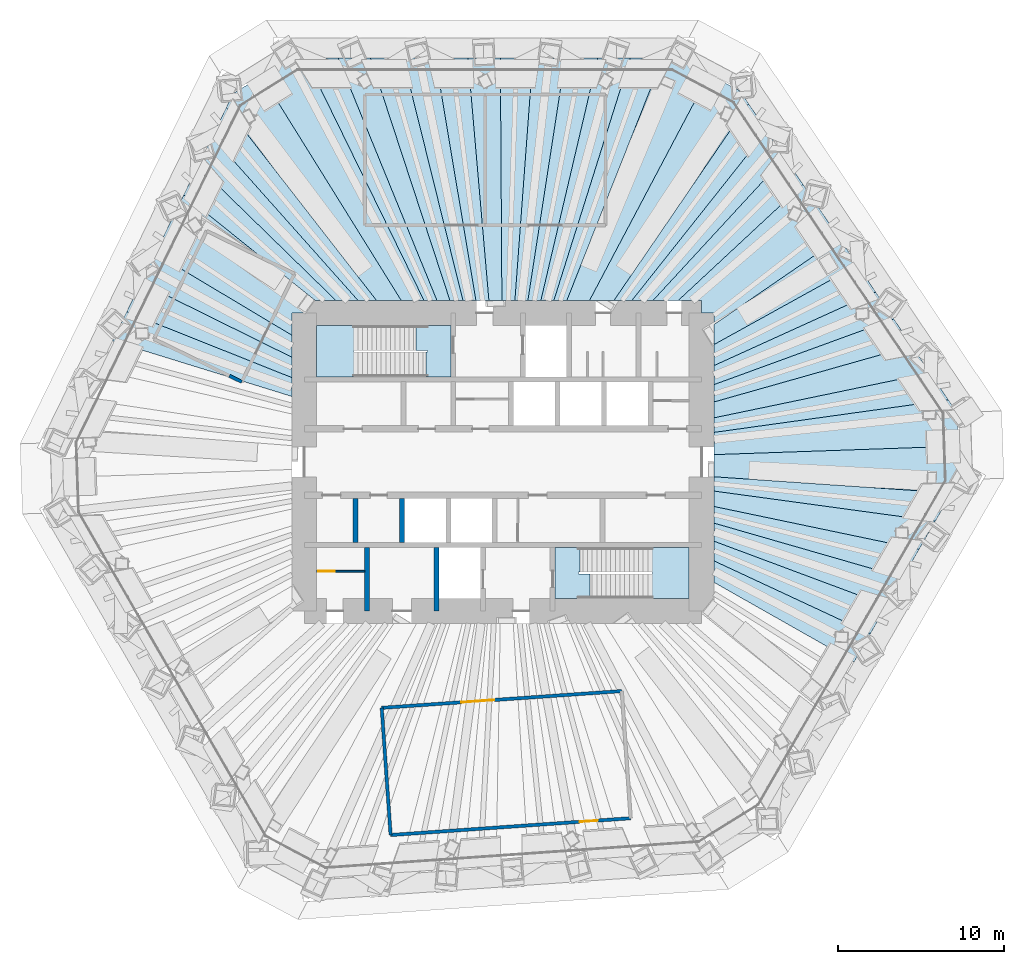
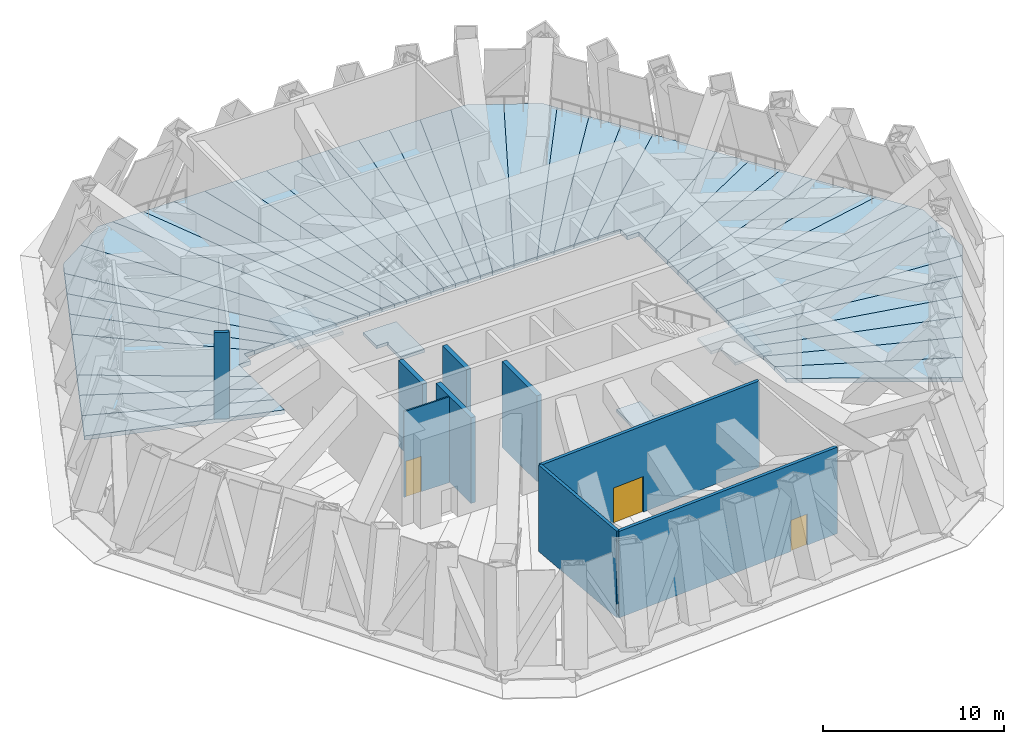
# One storey, part 6 of 12: 44 slabs, 9 walls, 3 doors, 3 openings, 2 elements without a shape of their own.
"""IFC4 building model written with IfcOpenShell, lengths in metres."""

from ifc_helpers import new_model, si_unit, direction, frame, frame_2d, origin, place, context, subcontext, project, spatial, polyline, rectangle, outline, extrude, material, layer, layer_set, type_object, element, fill, aggregate, save


model = new_model("IFC4")

# Units and contexts
model_context = context("Model", 3, precision=1e-05, world=origin(), true_north=direction((0.0, 1.0)))
body_context = subcontext(model_context, "Body", "Model", "MODEL_VIEW")
ifc_project = project(units=[si_unit("LENGTHUNIT", "METRE"), si_unit("AREAUNIT", "SQUARE_METRE"), si_unit("VOLUMEUNIT", "CUBIC_METRE"), si_unit("PLANEANGLEUNIT", "RADIAN"), si_unit("MASSUNIT", "GRAM", prefix="KILO")], contexts=[model_context])

# Site, building, storey
site_placement = place(None, origin())
site = spatial("IfcSite", under=ifc_project, at=site_placement, CompositionType="ELEMENT")
building_placement = place(site_placement, origin())
building = spatial("IfcBuilding", under=site, at=building_placement, Name="Qingtian Harvest Tower", CompositionType="ELEMENT")
storey_placement = place(building_placement, frame((0.0, 0.0, 174.39990234375)))
storey = spatial("IfcBuildingStorey", under=building, at=storey_placement, Name="L37", CompositionType="ELEMENT", Elevation=174.39990234375)

# Slabs
ifc_material_1 = material(Name="Concrete fc' 35 MPa", Category="concrete")
ifc_layer_1 = layer(ifc_material_1, 0.280029296875)
ifc_layer_set_1 = layer_set([ifc_layer_1], Name="Composite floor slab FS28 280")
slab_type_1 = type_object("IfcSlabType", Name="Composite floor slab FS28 280", PredefinedType="FLOOR", material=ifc_layer_set_1)
slab_1_placement = place(storey_placement, frame((0.0, 0.0, -0.27978515625)))
element("IfcSlab", 1, at=slab_1_placement, inside=storey, type_object=slab_type_1, Name="Floor slab L37 panel D33", PredefinedType="FLOOR", context=body_context, shape_type="SweptSolid", body=[
    extrude(outline(polyline([(12.75, -5.97021484375), (22.19384765625, -10.369140625), (21.212890625, -12.068115234375), (12.75, -7.268798828125), (12.75, -5.97021484375)])), origin(), (0.0, 0.0, 1.0), 0.27978515625),
])
slab_2_placement = place(storey_placement, frame((0.0, 0.0, -0.27978515625)))
element("IfcSlab", 2, at=slab_2_placement, inside=storey, type_object=slab_type_1, Name="Floor slab L37 panel D34", PredefinedType="FLOOR", context=body_context, shape_type="SweptSolid", body=[
    extrude(outline(polyline([(12.75, -4.78173828125), (23.1748046875, -8.670166015625), (22.19384765625, -10.369140625), (12.75, -5.97021484375), (12.75, -4.78173828125)])), origin(), (0.0, 0.0, 1.0), 0.27978515625),
])
slab_3_placement = place(storey_placement, frame((0.0, 0.0, -0.27978515625)))
element("IfcSlab", 3, at=slab_3_placement, inside=storey, type_object=slab_type_1, Name="Floor slab L37 panel D35", PredefinedType="FLOOR", context=body_context, shape_type="SweptSolid", body=[
    extrude(outline(polyline([(12.75, -3.68994140625), (24.155517578125, -6.97119140625), (23.1748046875, -8.670166015625), (12.75, -4.78173828125), (12.75, -3.68994140625)])), origin(), (0.0, 0.0, 1.0), 0.27978515625),
])
slab_4_placement = place(storey_placement, frame((0.0, 0.0, -0.27978515625)))
element("IfcSlab", 4, at=slab_4_placement, inside=storey, type_object=slab_type_1, Name="Floor slab L37 panel D36", PredefinedType="FLOOR", context=body_context, shape_type="SweptSolid", body=[
    extrude(outline(polyline([(12.75, -2.683349609375), (25.136474609375, -5.272216796875), (24.155517578125, -6.97119140625), (12.75, -3.68994140625), (12.75, -2.683349609375)])), origin(), (0.0, 0.0, 1.0), 0.27978515625),
])
slab_5_placement = place(storey_placement, frame((0.0, 0.0, -0.27978515625)))
element("IfcSlab", 5, at=slab_5_placement, inside=storey, type_object=slab_type_1, Name="Floor slab L37 panel D37", PredefinedType="FLOOR", context=body_context, shape_type="SweptSolid", body=[
    extrude(outline(polyline([(12.75, -1.752685546875), (26.117431640625, -3.5732421875), (25.136474609375, -5.272216796875), (12.75, -2.683349609375), (12.75, -1.752685546875)])), origin(), (0.0, 0.0, 1.0), 0.27978515625),
])
slab_6_placement = place(storey_placement, frame((0.0, 0.0, -0.27978515625)))
element("IfcSlab", 6, at=slab_6_placement, inside=storey, type_object=slab_type_1, Name="Floor slab L37 panel D38", PredefinedType="FLOOR", context=body_context, shape_type="SweptSolid", body=[
    extrude(outline(polyline([(12.75, -0.889404296875), (27.09814453125, -1.87451171875), (26.117431640625, -3.5732421875), (12.75, -1.752685546875), (12.75, -0.889404296875)])), origin(), (0.0, 0.0, 1.0), 0.27978515625),
])
slab_7_placement = place(storey_placement, frame((0.0, 0.0, -0.27978515625)))
element("IfcSlab", 7, at=slab_7_placement, inside=storey, type_object=slab_type_1, Name="Floor slab L37 panel D39", PredefinedType="FLOOR", context=body_context, shape_type="SweptSolid", body=[
    extrude(outline(polyline([(12.75, -0.889404296875), (12.75, 0.447509765625), (27.4892578125, 0.9599609375), (27.560302734375, -1.07421875), (27.09814453125, -1.87451171875), (12.75, -0.889404296875)])), origin(), (0.0, 0.0, 1.0), 0.27978515625),
])
slab_8_placement = place(storey_placement, frame((0.0, 0.0, -0.27978515625)))
element("IfcSlab", 8, at=slab_8_placement, inside=storey, type_object=slab_type_1, Name="Floor slab L37 panel D40", PredefinedType="FLOOR", context=body_context, shape_type="SweptSolid", body=[
    extrude(outline(polyline([(12.75, 0.447509765625), (12.75, 1.79052734375), (26.9013671875, 3.76025390625), (27.418212890625, 2.994140625), (27.4892578125, 0.9599609375), (12.75, 0.447509765625)])), origin(), (0.0, 0.0, 1.0), 0.27978515625),
])
slab_9_placement = place(storey_placement, frame((0.0, 0.0, -0.27978515625)))
element("IfcSlab", 9, at=slab_9_placement, inside=storey, type_object=slab_type_1, Name="Floor slab L37 panel D41", PredefinedType="FLOOR", context=body_context, shape_type="SweptSolid", body=[
    extrude(outline(polyline([(12.75, 2.671142578125), (25.804443359375, 5.386474609375), (26.9013671875, 3.76025390625), (12.75, 1.79052734375), (12.75, 2.671142578125)])), origin(), (0.0, 0.0, 1.0), 0.27978515625),
])
slab_10_placement = place(storey_placement, frame((0.0, 0.0, -0.27978515625)))
element("IfcSlab", 10, at=slab_10_placement, inside=storey, type_object=slab_type_1, Name="Floor slab L37 panel D42", PredefinedType="FLOOR", context=body_context, shape_type="SweptSolid", body=[
    extrude(outline(polyline([(12.75, 3.6298828125), (24.70751953125, 7.012939453125), (25.804443359375, 5.386474609375), (12.75, 2.671142578125), (12.75, 3.6298828125)])), origin(), (0.0, 0.0, 1.0), 0.27978515625),
])
slab_11_placement = place(storey_placement, frame((0.0, 0.0, -0.27978515625)))
element("IfcSlab", 11, at=slab_11_placement, inside=storey, type_object=slab_type_1, Name="Floor slab L37 panel D43", PredefinedType="FLOOR", context=body_context, shape_type="SweptSolid", body=[
    extrude(outline(polyline([(12.75, 4.677734375), (23.6103515625, 8.639404296875), (24.70751953125, 7.012939453125), (12.75, 3.6298828125), (12.75, 4.677734375)])), origin(), (0.0, 0.0, 1.0), 0.27978515625),
])
slab_12_placement = place(storey_placement, frame((0.0, 0.0, -0.27978515625)))
element("IfcSlab", 12, at=slab_12_placement, inside=storey, type_object=slab_type_1, Name="Floor slab L37 panel D44", PredefinedType="FLOOR", context=body_context, shape_type="SweptSolid", body=[
    extrude(outline(polyline([(12.75, 5.828125), (22.513427734375, 10.265869140625), (23.6103515625, 8.639404296875), (12.75, 4.677734375), (12.75, 5.828125)])), origin(), (0.0, 0.0, 1.0), 0.27978515625),
])
slab_13_placement = place(storey_placement, frame((0.0, 0.0, -0.27978515625)))
element("IfcSlab", 13, at=slab_13_placement, inside=storey, type_object=slab_type_1, Name="Floor slab L37 panel D45", PredefinedType="FLOOR", context=body_context, shape_type="SweptSolid", body=[
    extrude(outline(polyline([(12.75, 7.096435546875), (21.416259765625, 11.89208984375), (22.513427734375, 10.265869140625), (12.75, 5.828125), (12.75, 7.096435546875)])), origin(), (0.0, 0.0, 1.0), 0.27978515625),
])
slab_14_placement = place(storey_placement, frame((0.0, 0.0, -0.27978515625)))
element("IfcSlab", 14, at=slab_14_placement, inside=storey, type_object=slab_type_1, Name="Floor slab L37 panel D46", PredefinedType="FLOOR", context=body_context, shape_type="SweptSolid", body=[
    extrude(outline(polyline([(12.75, 8.30615234375), (20.324951171875, 13.510498046875), (21.416259765625, 11.89208984375), (12.75, 7.096435546875), (12.75, 8.30615234375)])), origin(), (0.0, 0.0, 1.0), 0.27978515625),
])
slab_15_placement = place(storey_placement, frame((0.0, 0.0, -0.27978515625)))
element("IfcSlab", 15, at=slab_15_placement, inside=storey, type_object=slab_type_1, Name="Floor slab L37 panel D48", PredefinedType="FLOOR", context=body_context, shape_type="SweptSolid", body=[
    extrude(outline(polyline([(18.126708984375, 16.769287109375), (20.324951171875, 13.510498046875), (12.75, 8.30615234375), (12.75, 9.0), (12.0, 9.0), (12.0, 9.75), (10.578369140625, 9.75), (18.126708984375, 16.769287109375)])), origin(), (0.0, 0.0, 1.0), 0.27978515625),
])
slab_16_placement = place(storey_placement, frame((0.0, 0.0, -0.27978515625)))
element("IfcSlab", 16, at=slab_16_placement, inside=storey, type_object=slab_type_1, Name="Floor slab L37 panel D49", PredefinedType="FLOOR", context=body_context, shape_type="SweptSolid", body=[
    extrude(outline(polyline([(9.0556640625, 9.75), (17.029541015625, 18.39599609375), (18.126708984375, 16.769287109375), (10.578369140625, 9.75), (9.0556640625, 9.75)])), origin(), (0.0, 0.0, 1.0), 0.27978515625),
])
slab_17_placement = place(storey_placement, frame((0.0, 0.0, -0.27978515625)))
element("IfcSlab", 17, at=slab_17_placement, inside=storey, type_object=slab_type_1, Name="Floor slab L37 panel D50", PredefinedType="FLOOR", context=body_context, shape_type="SweptSolid", body=[
    extrude(outline(polyline([(7.781494140625, 9.75), (15.932373046875, 20.0224609375), (17.029541015625, 18.39599609375), (9.0556640625, 9.75), (7.781494140625, 9.75)])), origin(), (0.0, 0.0, 1.0), 0.27978515625),
])
slab_18_placement = place(storey_placement, frame((0.0, 0.0, -0.27978515625)))
element("IfcSlab", 18, at=slab_18_placement, inside=storey, type_object=slab_type_1, Name="Floor slab L37 panel D51", PredefinedType="FLOOR", context=body_context, shape_type="SweptSolid", body=[
    extrude(outline(polyline([(6.69970703125, 9.75), (14.83544921875, 21.64892578125), (15.932373046875, 20.0224609375), (7.781494140625, 9.75), (6.69970703125, 9.75)])), origin(), (0.0, 0.0, 1.0), 0.27978515625),
])
slab_19_placement = place(storey_placement, frame((0.0, 0.0, -0.27978515625)))
element("IfcSlab", 19, at=slab_19_placement, inside=storey, type_object=slab_type_1, Name="Floor slab L37 panel D52", PredefinedType="FLOOR", context=body_context, shape_type="SweptSolid", body=[
    extrude(outline(polyline([(6.69970703125, 9.75), (5.224609375, 9.75), (12.44873046875, 23.409423828125), (14.318359375, 22.415283203125), (14.83544921875, 21.64892578125), (6.69970703125, 9.75)])), origin(), (0.0, 0.0, 1.0), 0.27978515625),
])
slab_20_placement = place(storey_placement, frame((0.0, 0.0, -0.27978515625)))
element("IfcSlab", 20, at=slab_20_placement, inside=storey, type_object=slab_type_1, Name="Floor slab L37 panel D53", PredefinedType="FLOOR", context=body_context, shape_type="SweptSolid", body=[
    extrude(outline(polyline([(3.856201171875, 9.75), (9.652587890625, 24.405029296875), (10.576416015625, 24.405029296875), (12.44873046875, 23.409423828125), (5.224609375, 9.75), (3.856201171875, 9.75)])), origin(), (0.0, 0.0, 1.0), 0.27978515625),
])
slab_21_placement = place(storey_placement, frame((0.0, 0.0, -0.27978515625)))
element("IfcSlab", 21, at=slab_21_placement, inside=storey, type_object=slab_type_1, Name="Floor slab L37 panel D54", PredefinedType="FLOOR", context=body_context, shape_type="SweptSolid", body=[
    extrude(outline(polyline([(3.072509765625, 9.75), (7.69091796875, 24.405029296875), (9.652587890625, 24.405029296875), (3.856201171875, 9.75), (3.072509765625, 9.75)])), origin(), (0.0, 0.0, 1.0), 0.27978515625),
])
slab_22_placement = place(storey_placement, frame((0.0, 0.0, -0.27978515625)))
element("IfcSlab", 22, at=slab_22_placement, inside=storey, type_object=slab_type_1, Name="Floor slab L37 panel D55", PredefinedType="FLOOR", context=body_context, shape_type="SweptSolid", body=[
    extrude(outline(polyline([(2.288818359375, 9.75), (5.729248046875, 24.405029296875), (7.69091796875, 24.405029296875), (3.072509765625, 9.75), (2.288818359375, 9.75)])), origin(), (0.0, 0.0, 1.0), 0.27978515625),
])
slab_23_placement = place(storey_placement, frame((0.0, 0.0, -0.27978515625)))
element("IfcSlab", 23, at=slab_23_placement, inside=storey, type_object=slab_type_1, Name="Floor slab L37 panel D56", PredefinedType="FLOOR", context=body_context, shape_type="SweptSolid", body=[
    extrude(outline(polyline([(1.505126953125, 9.75), (3.767578125, 24.405029296875), (5.729248046875, 24.405029296875), (2.288818359375, 9.75), (1.505126953125, 9.75)])), origin(), (0.0, 0.0, 1.0), 0.27978515625),
])
slab_24_placement = place(storey_placement, frame((0.0, 0.0, -0.27978515625)))
element("IfcSlab", 24, at=slab_24_placement, inside=storey, type_object=slab_type_1, Name="Floor slab L37 panel D57", PredefinedType="FLOOR", context=body_context, shape_type="SweptSolid", body=[
    extrude(outline(polyline([(0.721435546875, 9.75), (1.8056640625, 24.405029296875), (3.767578125, 24.405029296875), (1.505126953125, 9.75), (0.721435546875, 9.75)])), origin(), (0.0, 0.0, 1.0), 0.27978515625),
])
slab_25_placement = place(storey_placement, frame((0.0, 0.0, -0.27978515625)))
element("IfcSlab", 25, at=slab_25_placement, inside=storey, type_object=slab_type_1, Name="Floor slab L37 panel D58", PredefinedType="FLOOR", context=body_context, shape_type="SweptSolid", body=[
    extrude(outline(polyline([(-0.062255859375, 9.75), (-0.156005859375, 24.405029296875), (1.8056640625, 24.405029296875), (0.721435546875, 9.75), (-0.062255859375, 9.75)])), origin(), (0.0, 0.0, 1.0), 0.27978515625),
])
slab_26_placement = place(storey_placement, frame((0.0, 0.0, -0.27978515625)))
element("IfcSlab", 26, at=slab_26_placement, inside=storey, type_object=slab_type_1, Name="Floor slab L37 panel D59", PredefinedType="FLOOR", context=body_context, shape_type="SweptSolid", body=[
    extrude(outline(polyline([(-0.845947265625, 9.75), (-2.11767578125, 24.405029296875), (-0.156005859375, 24.405029296875), (-0.062255859375, 9.75), (-0.845947265625, 9.75)])), origin(), (0.0, 0.0, 1.0), 0.27978515625),
])
slab_27_placement = place(storey_placement, frame((0.0, 0.0, -0.27978515625)))
element("IfcSlab", 27, at=slab_27_placement, inside=storey, type_object=slab_type_1, Name="Floor slab L37 panel D60", PredefinedType="FLOOR", context=body_context, shape_type="SweptSolid", body=[
    extrude(outline(polyline([(-1.629638671875, 9.75), (-4.079345703125, 24.405029296875), (-2.11767578125, 24.405029296875), (-0.845947265625, 9.75), (-1.629638671875, 9.75)])), origin(), (0.0, 0.0, 1.0), 0.27978515625),
])
slab_28_placement = place(storey_placement, frame((0.0, 0.0, -0.27978515625)))
element("IfcSlab", 28, at=slab_28_placement, inside=storey, type_object=slab_type_1, Name="Floor slab L37 panel D61", PredefinedType="FLOOR", context=body_context, shape_type="SweptSolid", body=[
    extrude(outline(polyline([(-2.41357421875, 9.75), (-6.041015625, 24.405029296875), (-4.079345703125, 24.405029296875), (-1.629638671875, 9.75), (-2.41357421875, 9.75)])), origin(), (0.0, 0.0, 1.0), 0.27978515625),
])
slab_29_placement = place(storey_placement, frame((0.0, 0.0, -0.27978515625)))
element("IfcSlab", 29, at=slab_29_placement, inside=storey, type_object=slab_type_1, Name="Floor slab L37 panel D62", PredefinedType="FLOOR", context=body_context, shape_type="SweptSolid", body=[
    extrude(outline(polyline([(-3.197265625, 9.75), (-8.002685546875, 24.405029296875), (-6.041015625, 24.405029296875), (-2.41357421875, 9.75), (-3.197265625, 9.75)])), origin(), (0.0, 0.0, 1.0), 0.27978515625),
])
slab_30_placement = place(storey_placement, frame((0.0, 0.0, -0.27978515625)))
element("IfcSlab", 30, at=slab_30_placement, inside=storey, type_object=slab_type_1, Name="Floor slab L37 panel D63", PredefinedType="FLOOR", context=body_context, shape_type="SweptSolid", body=[
    extrude(outline(polyline([(-3.98095703125, 9.75), (-9.964599609375, 24.405029296875), (-8.002685546875, 24.405029296875), (-3.197265625, 9.75), (-3.98095703125, 9.75)])), origin(), (0.0, 0.0, 1.0), 0.27978515625),
])
slab_31_placement = place(storey_placement, frame((0.0, 0.0, -0.27978515625)))
element("IfcSlab", 31, at=slab_31_placement, inside=storey, type_object=slab_type_1, Name="Floor slab L37 panel D64", PredefinedType="FLOOR", context=body_context, shape_type="SweptSolid", body=[
    extrude(outline(polyline([(-4.7646484375, 9.75), (-11.92626953125, 24.405029296875), (-9.964599609375, 24.405029296875), (-3.98095703125, 9.75), (-4.7646484375, 9.75)])), origin(), (0.0, 0.0, 1.0), 0.27978515625),
])
slab_32_placement = place(storey_placement, frame((0.0, 0.0, -0.27978515625)))
element("IfcSlab", 32, at=slab_32_placement, inside=storey, type_object=slab_type_1, Name="Floor slab L37 panel D65", PredefinedType="FLOOR", context=body_context, shape_type="SweptSolid", body=[
    extrude(outline(polyline([(-4.7646484375, 9.75), (-6.13671875, 9.75), (-14.577392578125, 23.32568359375), (-12.849853515625, 24.405029296875), (-11.92626953125, 24.405029296875), (-4.7646484375, 9.75)])), origin(), (0.0, 0.0, 1.0), 0.27978515625),
])
slab_33_placement = place(storey_placement, frame((0.0, 0.0, -0.27978515625)))
element("IfcSlab", 33, at=slab_33_placement, inside=storey, type_object=slab_type_1, Name="Floor slab L37 panel D66", PredefinedType="FLOOR", context=body_context, shape_type="SweptSolid", body=[
    extrude(outline(polyline([(-6.13671875, 9.75), (-7.62646484375, 9.75), (-16.707275390625, 21.4169921875), (-16.302001953125, 22.247802734375), (-14.577392578125, 23.32568359375), (-6.13671875, 9.75)])), origin(), (0.0, 0.0, 1.0), 0.27978515625),
])
slab_34_placement = place(storey_placement, frame((0.0, 0.0, -0.27978515625)))
element("IfcSlab", 34, at=slab_34_placement, inside=storey, type_object=slab_type_1, Name="Floor slab L37 panel D67", PredefinedType="FLOOR", context=body_context, shape_type="SweptSolid", body=[
    extrude(outline(polyline([(-8.74169921875, 9.75), (-17.5673828125, 19.653564453125), (-16.707275390625, 21.4169921875), (-7.62646484375, 9.75), (-8.74169921875, 9.75)])), origin(), (0.0, 0.0, 1.0), 0.27978515625),
])
slab_35_placement = place(storey_placement, frame((0.0, 0.0, -0.27978515625)))
element("IfcSlab", 35, at=slab_35_placement, inside=storey, type_object=slab_type_1, Name="Floor slab L37 panel D68", PredefinedType="FLOOR", context=body_context, shape_type="SweptSolid", body=[
    extrude(outline(polyline([(-10.077880859375, 9.75), (-18.427490234375, 17.89013671875), (-17.5673828125, 19.653564453125), (-8.74169921875, 9.75), (-10.077880859375, 9.75)])), origin(), (0.0, 0.0, 1.0), 0.27978515625),
])
slab_36_placement = place(storey_placement, frame((0.0, 0.0, -0.27978515625)))
element("IfcSlab", 36, at=slab_36_placement, inside=storey, type_object=slab_type_1, Name="Floor slab L37 panel D69", PredefinedType="FLOOR", context=body_context, shape_type="SweptSolid", body=[
    extrude(outline(polyline([(-11.329345703125, 9.75), (-19.281494140625, 16.13916015625), (-18.427490234375, 17.89013671875), (-10.077880859375, 9.75), (-11.329345703125, 9.75)])), origin(), (0.0, 0.0, 1.0), 0.27978515625),
])
slab_37_placement = place(storey_placement, frame((0.0, 0.0, -0.27978515625)))
element("IfcSlab", 37, at=slab_37_placement, inside=storey, type_object=slab_type_1, Name="Floor slab L37 panel D70", PredefinedType="FLOOR", context=body_context, shape_type="SweptSolid", body=[
    extrude(outline(polyline([(-12.0, 9.0), (-12.75, 9.0), (-12.75, 7.662841796875), (-21.00634765625, 12.602294921875), (-19.281494140625, 16.13916015625), (-11.329345703125, 9.75), (-12.0, 9.75), (-12.0, 9.0)])), origin(), (0.0, 0.0, 1.0), 0.27978515625),
])
slab_38_placement = place(storey_placement, frame((0.0, 0.0, -0.27978515625)))
element("IfcSlab", 38, at=slab_38_placement, inside=storey, type_object=slab_type_1, Name="Floor slab L37 panel D72", PredefinedType="FLOOR", context=body_context, shape_type="SweptSolid", body=[
    extrude(outline(polyline([(-12.75, 6.332275390625), (-21.866455078125, 10.839111328125), (-21.00634765625, 12.602294921875), (-12.75, 7.662841796875), (-12.75, 6.332275390625)])), origin(), (0.0, 0.0, 1.0), 0.27978515625),
])
slab_39_placement = place(storey_placement, frame((0.0, 0.0, -0.27978515625)))
element("IfcSlab", 39, at=slab_39_placement, inside=storey, type_object=slab_type_1, Name="Floor slab L37 panel D73", PredefinedType="FLOOR", context=body_context, shape_type="SweptSolid", body=[
    extrude(outline(polyline([(-12.75, 5.1025390625), (-22.726318359375, 9.075927734375), (-21.866455078125, 10.839111328125), (-12.75, 6.332275390625), (-12.75, 5.1025390625)])), origin(), (0.0, 0.0, 1.0), 0.27978515625),
])
slab_40_placement = place(storey_placement, frame((0.0, 0.0, -0.27978515625)))
element("IfcSlab", 40, at=slab_40_placement, inside=storey, type_object=slab_type_1, Name="Floor slab L37 panel D74", PredefinedType="FLOOR", context=body_context, shape_type="SweptSolid", body=[
    extrude(outline(polyline([(-12.75, 3.962646484375), (-23.58642578125, 7.312744140625), (-22.726318359375, 9.075927734375), (-12.75, 5.1025390625), (-12.75, 3.962646484375)])), origin(), (0.0, 0.0, 1.0), 0.27978515625),
])

# Stair, slabs
ifc_material_2 = material(Name="Concrete fc' 35 MPa", Category="concrete")
stair_type = type_object("IfcStairType", Name="Special stair ST1 6000", PredefinedType="HALF_TURN_STAIR", material=ifc_material_2)
stair_1_placement = place(storey_placement, origin())
stair_1 = element("IfcStair", 41, at=stair_1_placement, inside=storey, type_object=stair_type, Name="Special stair S1 L37", PredefinedType="HALF_TURN_STAIR")
ifc_material_3 = material(Name="Concrete fc' 35 MPa", Category="concrete")
ifc_layer_2 = layer(ifc_material_3, 0.199951171875)
ifc_layer_set_2 = layer_set([ifc_layer_2], Name="Stair landing SL2 200")
slab_type_2 = type_object("IfcSlabType", Name="Stair landing SL2 200", PredefinedType="LANDING", material=ifc_layer_set_2)
slab_41_placement = place(storey_placement, frame((0.0, 0.0, -0.199951171875)))
slab_41 = element("IfcSlab", 42, at=slab_41_placement, type_object=slab_type_2, Name="S1 landing 1", PredefinedType="LANDING", context=body_context, shape_type="SweptSolid", body=[
    extrude(outline(polyline([(-4.64990234375, 5.14990234375), (-4.64990234375, 6.64990234375), (-4.550048828125, 6.64990234375), (-4.550048828125, 6.75), (-5.260009765625, 6.75), (-5.260009765625, 8.25), (-3.14990234375, 8.25), (-3.14990234375, 5.14990234375), (-4.64990234375, 5.14990234375)])), origin(), (0.0, 0.0, 1.0), 0.199951171875),
])
slab_42_placement = place(storey_placement, frame((0.0, 0.0, 2.800048828125)))
slab_42 = element("IfcSlab", 43, at=slab_42_placement, type_object=slab_type_2, Name="S1 landing 2", PredefinedType="LANDING", context=body_context, shape_type="SweptSolid", body=[
    extrude(outline(polyline([(-8.320068359375, 5.14990234375), (-11.25, 5.14990234375), (-11.25, 8.25), (-8.929931640625, 8.25), (-8.929931640625, 6.75), (-9.030029296875, 6.75), (-9.030029296875, 6.64990234375), (-8.320068359375, 6.64990234375), (-8.320068359375, 5.14990234375)])), origin(), (0.0, 0.0, 1.0), 0.199951171875),
])
aggregate(stair_1, [slab_41, slab_42])

stair_2_placement = place(storey_placement, origin())
stair_2 = element("IfcStair", 44, at=stair_2_placement, inside=storey, type_object=stair_type, Name="Special stair S2 L37", PredefinedType="HALF_TURN_STAIR")
slab_43_placement = place(storey_placement, frame((0.0, 0.0, -0.199951171875)))
slab_43 = element("IfcSlab", 45, at=slab_43_placement, type_object=slab_type_2, Name="S2 landing 1", PredefinedType="LANDING", context=body_context, shape_type="SweptSolid", body=[
    extrude(outline(polyline([(5.260009765625, -8.25), (3.14990234375, -8.25), (3.14990234375, -5.14990234375), (4.64990234375, -5.14990234375), (4.64990234375, -6.64990234375), (4.550048828125, -6.64990234375), (4.550048828125, -6.75), (5.260009765625, -6.75), (5.260009765625, -8.25)])), origin(), (0.0, 0.0, 1.0), 0.199951171875),
])
slab_44_placement = place(storey_placement, frame((0.0, 0.0, 2.800048828125)))
slab_44 = element("IfcSlab", 46, at=slab_44_placement, type_object=slab_type_2, Name="S2 landing 2", PredefinedType="LANDING", context=body_context, shape_type="SweptSolid", body=[
    extrude(outline(polyline([(8.929931640625, -8.25), (8.929931640625, -6.75), (9.030029296875, -6.75), (9.030029296875, -6.64990234375), (8.320068359375, -6.64990234375), (8.320068359375, -5.14990234375), (11.25, -5.14990234375), (11.25, -8.25), (8.929931640625, -8.25)])), origin(), (0.0, 0.0, 1.0), 0.199951171875),
])
aggregate(stair_2, [slab_43, slab_44])

# Walls
ifc_material_4 = material(Name="Precast concrete shaft panel", Category="concrete")
ifc_layer_3 = layer(ifc_material_4, 0.300048828125)
ifc_layer_set_3 = layer_set([ifc_layer_3], Name="Core shaft partition SW1 300")
wall_type_1 = type_object("IfcWallType", Name="Core shaft partition SW1 300", PredefinedType="PARTITIONING", material=ifc_layer_set_3)
for number, where, z_axis, x_axis, name in (
    (47, (-8.89990234375, -4.85009765625, 0.0), (0.0, 0.0, 1.0), (0.0, 1.0, 0.0), "Core shaft partition XB1 L37"),
    (48, (-6.10009765625, -4.85009765625, 0.0), (0.0, 0.0, 1.0), (0.0, 1.0, 0.0), "Core shaft partition XB2 L37"),
):
    element("IfcWall", number, at=place(storey_placement, frame(where, z_axis=z_axis, x_axis=x_axis)), inside=storey, type_object=wall_type_1, Name=name, PredefinedType="PARTITIONING", context=body_context, shape_type="SweptSolid", body=[
        extrude(rectangle(XDim=2.650146484375, YDim=0.300048828125, at=frame_2d((1.3251953125, 0.0))), origin(), (0.0, 0.0, 1.0), 5.780029296875),
    ])
for number, where, z_axis, x_axis, name in (
    (49, (-8.199951171875, -9.0, 0.0), (0.0, 0.0, 1.0), (0.0, 1.0, 0.0), "Core shaft partition XS1 L37"),
    (50, (-4.0, -9.0, 0.0), (0.0, 0.0, 1.0), (0.0, 1.0, 0.0), "Core shaft partition XS2 L37"),
):
    element("IfcWall", number, at=place(storey_placement, frame(where, z_axis=z_axis, x_axis=x_axis)), inside=storey, type_object=wall_type_1, Name=name, PredefinedType="PARTITIONING", context=body_context, shape_type="SweptSolid", body=[
        extrude(rectangle(XDim=3.85009765625, YDim=0.300048828125, at=frame_2d((1.925048828125, 0.0))), origin(), (0.0, 0.0, 1.0), 5.780029296875),
    ])
ifc_material_5 = material(Name="Blockwork fire wall", Category="masonry")
ifc_layer_4 = layer(ifc_material_5, 0.199951171875)
ifc_layer_set_4 = layer_set([ifc_layer_4], Name="Fire partition FW1 200")
wall_type_2 = type_object("IfcWallType", Name="Fire partition FW1 200", PredefinedType="PARTITIONING", material=ifc_layer_set_4)
wall_1_placement = place(storey_placement, frame((-6.783447265625, -22.528076171875, 0.0), z_axis=(0.0, 0.0, 1.0), x_axis=(-0.06975529502, 0.997564132684, 0.0)))
element("IfcWall", 51, at=wall_1_placement, inside=storey, type_object=wall_type_2, Name="Mechanical plant room wall L37", PredefinedType="PARTITIONING", context=body_context, shape_type="SweptSolid", body=[
    extrude(rectangle(XDim=7.699951171875, YDim=0.199951171875, at=frame_2d((3.85009765625, 0.0))), origin(), (0.0, 0.0, 1.0), 5.830078125),
])

# Wall, opening, door
wall_2_placement = place(storey_placement, frame((7.17822265625, -13.8330078125, 0.0), z_axis=(0.0, 0.0, 1.0), x_axis=(-0.997563750524, -0.06976076003, 0.0)))
wall_2 = element("IfcWall", 52, at=wall_2_placement, inside=storey, type_object=wall_type_2, Name="Mechanical plant room wall L37", PredefinedType="PARTITIONING", context=body_context, shape_type="SweptSolid", body=[
    extrude(rectangle(XDim=14.5341796875, YDim=0.199951171875, at=frame_2d((7.26708984375, 0.0))), origin(), (0.0, 0.0, 1.0), 5.830078125),
])
opening_1_placement = place(wall_2_placement, frame((7.720458984375, 0.0, 0.0)))
opening_1 = element("IfcOpeningElement", 53, at=opening_1_placement, cuts=wall_2, Name="Opening FD3", PredefinedType="OPENING", context=body_context, shape_type="SweptSolid", body=[
    extrude(rectangle(XDim=2.0, YDim=2.39990234375, at=frame_2d((1.0, 1.199951171875))), frame((0.0, 0.10986328125, 0.0), z_axis=(0.0, -1.0, 0.0), x_axis=(1.0, 0.0, 0.0)), (0.0, 0.0, 1.0), 0.219970703125),
])
ifc_material_6 = material(Name="Steel-faced door leaf", Category="steel")
door_type_1 = type_object("IfcDoorType", Name="Fire door FD3 double 2 HR", OperationType="DOUBLE_DOOR_DOUBLE_SWING", PredefinedType="DOOR", material=ifc_material_6)
door_1_placement = place(opening_1_placement, origin())
door_1 = element("IfcDoor", 54, at=door_1_placement, inside=storey, type_object=door_type_1, Name="Mechanical plant room door L37", OperationType="DOUBLE_DOOR_DOUBLE_SWING", OverallHeight=2.39990234375, OverallWidth=2.0, PredefinedType="DOOR", context=body_context, shape_type="SweptSolid", body=[
    extrude(rectangle(XDim=2.0, YDim=2.39990234375, at=frame_2d((1.0, 1.199951171875))), frame((0.0, 0.02490234375, 0.0), z_axis=(0.0, -1.0, 0.0), x_axis=(1.0, 0.0, 0.0)), (0.0, 0.0, 1.0), 0.050048828125),
])
fill(opening_1, door_1)

wall_3_placement = place(storey_placement, frame((7.71533203125, -21.51416015625, 0.0), z_axis=(0.0, 0.0, 1.0), x_axis=(-0.997563750524, -0.06976076003, 0.0)))
wall_3 = element("IfcWall", 55, at=wall_3_placement, inside=storey, type_object=wall_type_2, Name="Mechanical plant room roof access wall L37", PredefinedType="PARTITIONING", context=body_context, shape_type="SweptSolid", body=[
    extrude(rectangle(XDim=14.5341796875, YDim=0.199951171875, at=frame_2d((7.26708984375, 0.0))), origin(), (0.0, 0.0, 1.0), 5.830078125),
])
opening_2_placement = place(wall_3_placement, frame((1.993408203125, 0.0, 0.0)))
opening_2 = element("IfcOpeningElement", 56, at=opening_2_placement, cuts=wall_3, Name="Opening FD4", PredefinedType="OPENING", context=body_context, shape_type="SweptSolid", body=[
    extrude(rectangle(XDim=1.10009765625, YDim=2.10009765625, at=frame_2d((0.550048828125, 1.050048828125))), frame((0.0, 0.10986328125, 0.0), z_axis=(0.0, -1.0, 0.0), x_axis=(1.0, 0.0, 0.0)), (0.0, 0.0, 1.0), 0.219970703125),
])
ifc_material_7 = material(Name="Steel-faced door leaf", Category="steel")
door_type_2 = type_object("IfcDoorType", Name="Fire door FD4 single 2 HR", OperationType="SINGLE_SWING_LEFT", PredefinedType="DOOR", material=ifc_material_7)
door_2_placement = place(opening_2_placement, origin())
door_2 = element("IfcDoor", 57, at=door_2_placement, inside=storey, type_object=door_type_2, Name="Roof access door L37", OperationType="SINGLE_SWING_LEFT", OverallHeight=2.10009765625, OverallWidth=1.10009765625, PredefinedType="DOOR", context=body_context, shape_type="SweptSolid", body=[
    extrude(rectangle(XDim=1.10009765625, YDim=2.10009765625, at=frame_2d((0.550048828125, 1.050048828125))), frame((0.0, 0.02490234375, 0.0), z_axis=(0.0, -1.0, 0.0), x_axis=(1.0, 0.0, 0.0)), (0.0, 0.0, 1.0), 0.050048828125),
])
fill(opening_2, door_2)

# Wall
wall_4_placement = place(storey_placement, frame((-16.523681640625, 5.20849609375, 0.0), z_axis=(0.0, 0.0, 1.0), x_axis=(0.89877125652, -0.438417869679, 0.0)))
element("IfcWall", 58, at=wall_4_placement, inside=storey, type_object=wall_type_2, Name="Water tank room wall L37", PredefinedType="PARTITIONING", context=body_context, shape_type="SweptSolid", body=[
    extrude(rectangle(XDim=0.834716796875, YDim=0.199951171875, at=frame_2d((0.41748046875, 0.0))), origin(), (0.0, 0.0, 1.0), 5.830078125),
])

# Wall, opening, door
ifc_material_8 = material(Name="Concrete block partition", Category="concrete")
ifc_layer_5 = layer(ifc_material_8, 0.10009765625)
ifc_layer_set_5 = layer_set([ifc_layer_5], Name="Store partition PT3 100")
wall_type_3 = type_object("IfcWallType", Name="Store partition PT3 100", PredefinedType="PARTITIONING", material=ifc_layer_set_5)
wall_5_placement = place(storey_placement, frame((-11.25, -6.60009765625, 0.0), z_axis=(0.0, 0.0, 1.0), x_axis=(1.0, 0.0, 0.0)))
wall_5 = element("IfcWall", 59, at=wall_5_placement, inside=storey, type_object=wall_type_3, Name="Oil store wall L37", PredefinedType="PARTITIONING", context=body_context, shape_type="SweptSolid", body=[
    extrude(rectangle(XDim=2.89990234375, YDim=0.10009765625, at=frame_2d((1.449951171875, 0.0))), origin(), (0.0, 0.0, 1.0), 5.780029296875),
])
opening_3_placement = place(wall_5_placement, frame((0.10009765625, 0.0, 0.0)))
opening_3 = element("IfcOpeningElement", 60, at=opening_3_placement, cuts=wall_5, Name="Opening D2", PredefinedType="OPENING", context=body_context, shape_type="SweptSolid", body=[
    extrude(rectangle(XDim=1.0, YDim=2.39990234375, at=frame_2d((0.5, 1.199951171875))), frame((0.0, 0.06005859375, 0.0), z_axis=(0.0, -1.0, 0.0), x_axis=(1.0, 0.0, 0.0)), (0.0, 0.0, 1.0), 0.1201171875),
])
ifc_material_9 = material(Name="Laminated timber door leaf", Category="wood")
door_type_3 = type_object("IfcDoorType", Name="Room door D2 single", OperationType="SINGLE_SWING_LEFT", PredefinedType="DOOR", material=ifc_material_9)
door_3_placement = place(opening_3_placement, origin())
door_3 = element("IfcDoor", 61, at=door_3_placement, inside=storey, type_object=door_type_3, Name="Oil store door L37", OperationType="SINGLE_SWING_LEFT", OverallHeight=2.39990234375, OverallWidth=1.0, PredefinedType="DOOR", context=body_context, shape_type="SweptSolid", body=[
    extrude(rectangle(XDim=1.0, YDim=2.39990234375, at=frame_2d((0.5, 1.199951171875))), frame((0.0, 0.02490234375, 0.0), z_axis=(0.0, -1.0, 0.0), x_axis=(1.0, 0.0, 0.0)), (0.0, 0.0, 1.0), 0.050048828125),
])
fill(opening_3, door_3)

save(model, "model.ifc")
